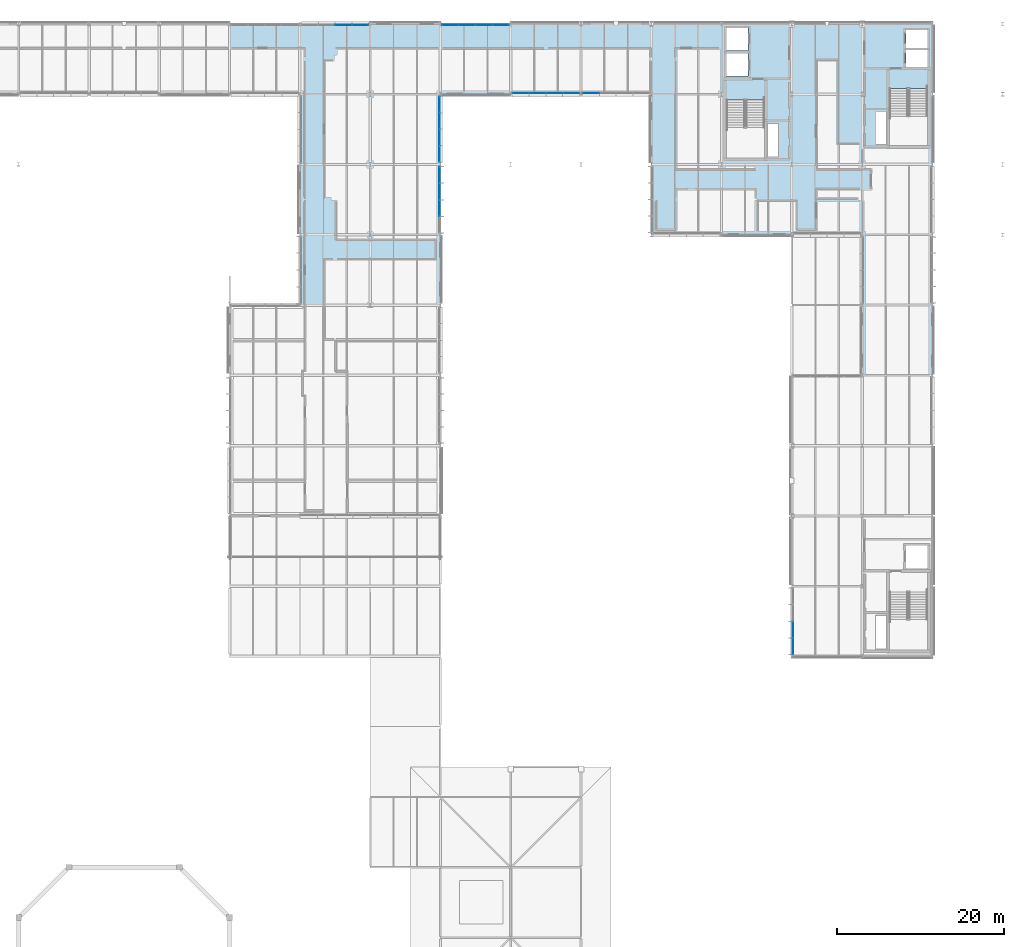
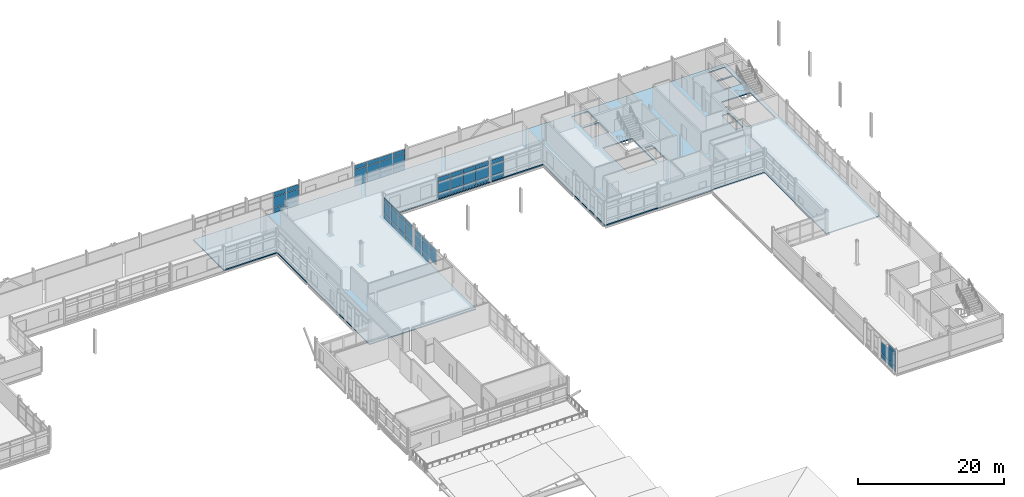
# One storey, part 78 of 103: 58 plates, 1 slab, 7 elements without a shape of their own.
"""IFC4 building model written with IfcOpenShell, lengths in metres."""

from ifc_helpers import new_model, si_unit, direction, frame, origin, origin_2d, place, context, subcontext, project, spatial, polyline, rectangle, outline, extrude, material, layer, layer_set, type_object, element, aggregate, save


model = new_model("IFC4")

# Units and contexts
model_context = context("Model", 3, precision=1e-05, world=origin(), true_north=direction((0.0, 1.0)))
body_context = subcontext(model_context, "Body", "Model", "MODEL_VIEW")
ifc_project = project(units=[si_unit("LENGTHUNIT", "METRE"), si_unit("AREAUNIT", "SQUARE_METRE"), si_unit("VOLUMEUNIT", "CUBIC_METRE"), si_unit("PLANEANGLEUNIT", "RADIAN"), si_unit("MASSUNIT", "GRAM", prefix="KILO")], contexts=[model_context])

# Site, building, storey
site_placement = place(None, origin())
site = spatial("IfcSite", under=ifc_project, at=site_placement, CompositionType="ELEMENT")
building_placement = place(site_placement, origin())
building = spatial("IfcBuilding", under=site, at=building_placement, Name="Mersafa Astral City Hall", CompositionType="ELEMENT")
storey_placement = place(building_placement, frame((0.0, 0.0, 18.0)))
storey = spatial("IfcBuildingStorey", under=building, at=storey_placement, Name="L04", CompositionType="ELEMENT", Elevation=18.0)

# Curtain wall, plates
ifc_material_1 = material(Name="Anodised bronze aluminium framing", Category="aluminium")
curtain_wall_type_1 = type_object("IfcCurtainWallType", Name="ENV-CW-1", PredefinedType="USERDEFINED", material=ifc_material_1)
curtain_wall_1_placement = place(storey_placement, origin())
curtain_wall_1 = element("IfcCurtainWall", 1, at=curtain_wall_1_placement, inside=storey, type_object=curtain_wall_type_1, Name="L04 Unitised solar curtain wall 216", ObjectType="UNITISED CURTAIN WALL", PredefinedType="USERDEFINED")
ifc_material_2 = material(Name="Solar control low-e double glazing", Category="glass")
ifc_layer_1 = layer(ifc_material_2, 0.028076171875, Name="Solar control low-e double glazing")
ifc_layer_set_1 = layer_set([ifc_layer_1], Name="Solar control low-e double glazing — ENV-CW-PNL-GLZ-1")
plate_type_1 = type_object("IfcPlateType", Name="ENV-CW-PNL-GLZ-1", PredefinedType="CURTAIN_PANEL", material=ifc_layer_set_1)
plate_1_placement = place(storey_placement, frame((117.47998046875, 103.96240234375, 0.8798828125), z_axis=(0.0, 0.0, 1.0), x_axis=(0.0, 1.0, 0.0)))
plate_1 = element("IfcPlate", 2, at=plate_1_placement, type_object=plate_type_1, Name="CW-1 panel 2.2", PredefinedType="CURTAIN_PANEL", context=body_context, shape_type="SweptSolid", body=[
    extrude(rectangle(XDim=1.940185546875, YDim=0.028076171875, at=origin_2d()), origin(), (0.0, 0.0, 1.0), 1.840087890625),
])
plate_2_placement = place(storey_placement, frame((117.47998046875, 103.96240234375, 2.780029296875), z_axis=(0.0, 0.0, 1.0), x_axis=(0.0, 1.0, 0.0)))
plate_2 = element("IfcPlate", 3, at=plate_2_placement, type_object=plate_type_1, Name="CW-1 panel 2.3", PredefinedType="CURTAIN_PANEL", context=body_context, shape_type="SweptSolid", body=[
    extrude(rectangle(XDim=1.940185546875, YDim=0.028076171875, at=origin_2d()), origin(), (0.0, 0.0, 1.0), 0.64697265625),
])
plate_3_placement = place(storey_placement, frame((117.47998046875, 105.962646484375, 0.05810546875), z_axis=(0.0, 0.0, 1.0), x_axis=(0.0, 1.0, 0.0)))
plate_3 = element("IfcPlate", 4, at=plate_3_placement, type_object=plate_type_1, Name="CW-1 panel 3.1", PredefinedType="CURTAIN_PANEL", context=body_context, shape_type="SweptSolid", body=[
    extrude(rectangle(XDim=1.940185546875, YDim=0.028076171875, at=origin_2d()), origin(), (0.0, 0.0, 1.0), 0.761962890625),
])
plate_4_placement = place(storey_placement, frame((117.47998046875, 105.962646484375, 0.8798828125), z_axis=(0.0, 0.0, 1.0), x_axis=(0.0, 1.0, 0.0)))
plate_4 = element("IfcPlate", 5, at=plate_4_placement, type_object=plate_type_1, Name="CW-1 panel 3.2", PredefinedType="CURTAIN_PANEL", context=body_context, shape_type="SweptSolid", body=[
    extrude(rectangle(XDim=1.940185546875, YDim=0.028076171875, at=origin_2d()), origin(), (0.0, 0.0, 1.0), 1.840087890625),
])
plate_5_placement = place(storey_placement, frame((117.47998046875, 105.962646484375, 2.780029296875), z_axis=(0.0, 0.0, 1.0), x_axis=(0.0, 1.0, 0.0)))
plate_5 = element("IfcPlate", 6, at=plate_5_placement, type_object=plate_type_1, Name="CW-1 panel 3.3", PredefinedType="CURTAIN_PANEL", context=body_context, shape_type="SweptSolid", body=[
    extrude(rectangle(XDim=1.940185546875, YDim=0.028076171875, at=origin_2d()), origin(), (0.0, 0.0, 1.0), 0.64697265625),
])
plate_6_placement = place(storey_placement, frame((117.47998046875, 107.94775390625, 0.05810546875), z_axis=(0.0, 0.0, 1.0), x_axis=(0.0, 1.0, 0.0)))
plate_6 = element("IfcPlate", 7, at=plate_6_placement, type_object=plate_type_1, Name="CW-1 panel 4.1", PredefinedType="CURTAIN_PANEL", context=body_context, shape_type="SweptSolid", body=[
    extrude(rectangle(XDim=1.91015625, YDim=0.028076171875, at=origin_2d()), origin(), (0.0, 0.0, 1.0), 0.761962890625),
])
plate_7_placement = place(storey_placement, frame((117.47998046875, 107.94775390625, 0.8798828125), z_axis=(0.0, 0.0, 1.0), x_axis=(0.0, 1.0, 0.0)))
plate_7 = element("IfcPlate", 8, at=plate_7_placement, type_object=plate_type_1, Name="CW-1 panel 4.2", PredefinedType="CURTAIN_PANEL", context=body_context, shape_type="SweptSolid", body=[
    extrude(rectangle(XDim=1.91015625, YDim=0.028076171875, at=origin_2d()), origin(), (0.0, 0.0, 1.0), 1.840087890625),
])
plate_8_placement = place(storey_placement, frame((117.47998046875, 107.94775390625, 2.780029296875), z_axis=(0.0, 0.0, 1.0), x_axis=(0.0, 1.0, 0.0)))
plate_8 = element("IfcPlate", 9, at=plate_8_placement, type_object=plate_type_1, Name="CW-1 panel 4.3", PredefinedType="CURTAIN_PANEL", context=body_context, shape_type="SweptSolid", body=[
    extrude(rectangle(XDim=1.91015625, YDim=0.028076171875, at=origin_2d()), origin(), (0.0, 0.0, 1.0), 0.64697265625),
])
aggregate(curtain_wall_1, [plate_1, plate_2, plate_3, plate_4, plate_5, plate_6, plate_7, plate_8])

curtain_wall_type_2 = type_object("IfcCurtainWallType", Name="ENV-CW-2", PredefinedType="USERDEFINED", material=ifc_material_1)
curtain_wall_2_placement = place(storey_placement, origin())
curtain_wall_2 = element("IfcCurtainWall", 10, at=curtain_wall_2_placement, inside=storey, type_object=curtain_wall_type_2, Name="L04 Unitised solar curtain wall 217", ObjectType="UNITISED CURTAIN WALL", PredefinedType="USERDEFINED")
ifc_layer_2 = layer(ifc_material_2, 0.031982421875, Name="Solar control low-e double glazing")
ifc_layer_set_2 = layer_set([ifc_layer_2], Name="Solar control low-e double glazing — ENV-CW-PNL-GLZ-2")
plate_type_2 = type_object("IfcPlateType", Name="ENV-CW-PNL-GLZ-2", PredefinedType="CURTAIN_PANEL", material=ifc_layer_set_2)
plate_9_placement = place(storey_placement, frame((117.47998046875, 110.44287109375, 0.05810546875), z_axis=(0.0, 0.0, 1.0), x_axis=(0.0, 1.0, 0.0)))
plate_9 = element("IfcPlate", 11, at=plate_9_placement, type_object=plate_type_2, Name="CW-2 panel 1.1", PredefinedType="CURTAIN_PANEL", context=body_context, shape_type="SweptSolid", body=[
    extrude(rectangle(XDim=1.8916015625, YDim=0.031982421875, at=origin_2d()), origin(), (0.0, 0.0, 1.0), 0.761962890625),
])
plate_10_placement = place(storey_placement, frame((117.47998046875, 110.44287109375, 0.8798828125), z_axis=(0.0, 0.0, 1.0), x_axis=(0.0, 1.0, 0.0)))
plate_10 = element("IfcPlate", 12, at=plate_10_placement, type_object=plate_type_2, Name="CW-2 panel 1.2", PredefinedType="CURTAIN_PANEL", context=body_context, shape_type="SweptSolid", body=[
    extrude(rectangle(XDim=1.8916015625, YDim=0.031982421875, at=origin_2d()), origin(), (0.0, 0.0, 1.0), 1.840087890625),
])
plate_11_placement = place(storey_placement, frame((117.47998046875, 110.44287109375, 2.77978515625), z_axis=(0.0, 0.0, 1.0), x_axis=(0.0, 1.0, 0.0)))
plate_11 = element("IfcPlate", 13, at=plate_11_placement, type_object=plate_type_2, Name="CW-2 panel 1.3", PredefinedType="CURTAIN_PANEL", context=body_context, shape_type="SweptSolid", body=[
    extrude(rectangle(XDim=1.8916015625, YDim=0.031982421875, at=origin_2d()), origin(), (0.0, 0.0, 1.0), 0.737060546875),
])
plate_12_placement = place(storey_placement, frame((117.47998046875, 112.4091796875, 0.05810546875), z_axis=(0.0, 0.0, 1.0), x_axis=(0.0, 1.0, 0.0)))
plate_12 = element("IfcPlate", 14, at=plate_12_placement, type_object=plate_type_2, Name="CW-2 panel 2.1", PredefinedType="CURTAIN_PANEL", context=body_context, shape_type="SweptSolid", body=[
    extrude(rectangle(XDim=1.92138671875, YDim=0.031982421875, at=origin_2d()), origin(), (0.0, 0.0, 1.0), 0.761962890625),
])
plate_13_placement = place(storey_placement, frame((117.47998046875, 112.4091796875, 0.8798828125), z_axis=(0.0, 0.0, 1.0), x_axis=(0.0, 1.0, 0.0)))
plate_13 = element("IfcPlate", 15, at=plate_13_placement, type_object=plate_type_2, Name="CW-2 panel 2.2", PredefinedType="CURTAIN_PANEL", context=body_context, shape_type="SweptSolid", body=[
    extrude(rectangle(XDim=1.92138671875, YDim=0.031982421875, at=origin_2d()), origin(), (0.0, 0.0, 1.0), 1.840087890625),
])
plate_14_placement = place(storey_placement, frame((117.47998046875, 112.4091796875, 2.77978515625), z_axis=(0.0, 0.0, 1.0), x_axis=(0.0, 1.0, 0.0)))
plate_14 = element("IfcPlate", 16, at=plate_14_placement, type_object=plate_type_2, Name="CW-2 panel 2.3", PredefinedType="CURTAIN_PANEL", context=body_context, shape_type="SweptSolid", body=[
    extrude(rectangle(XDim=1.92138671875, YDim=0.031982421875, at=origin_2d()), origin(), (0.0, 0.0, 1.0), 0.737060546875),
])
plate_15_placement = place(storey_placement, frame((117.47998046875, 114.390869140625, 0.05810546875), z_axis=(0.0, 0.0, 1.0), x_axis=(0.0, 1.0, 0.0)))
plate_15 = element("IfcPlate", 17, at=plate_15_placement, type_object=plate_type_2, Name="CW-2 panel 3.1", PredefinedType="CURTAIN_PANEL", context=body_context, shape_type="SweptSolid", body=[
    extrude(rectangle(XDim=1.92138671875, YDim=0.031982421875, at=origin_2d()), origin(), (0.0, 0.0, 1.0), 0.761962890625),
])
plate_16_placement = place(storey_placement, frame((117.47998046875, 114.390869140625, 0.8798828125), z_axis=(0.0, 0.0, 1.0), x_axis=(0.0, 1.0, 0.0)))
plate_16 = element("IfcPlate", 18, at=plate_16_placement, type_object=plate_type_2, Name="CW-2 panel 3.2", PredefinedType="CURTAIN_PANEL", context=body_context, shape_type="SweptSolid", body=[
    extrude(rectangle(XDim=1.92138671875, YDim=0.031982421875, at=origin_2d()), origin(), (0.0, 0.0, 1.0), 1.840087890625),
])
plate_17_placement = place(storey_placement, frame((117.47998046875, 114.390869140625, 2.77978515625), z_axis=(0.0, 0.0, 1.0), x_axis=(0.0, 1.0, 0.0)))
plate_17 = element("IfcPlate", 19, at=plate_17_placement, type_object=plate_type_2, Name="CW-2 panel 3.3", PredefinedType="CURTAIN_PANEL", context=body_context, shape_type="SweptSolid", body=[
    extrude(rectangle(XDim=1.92138671875, YDim=0.031982421875, at=origin_2d()), origin(), (0.0, 0.0, 1.0), 0.737060546875),
])
plate_18_placement = place(storey_placement, frame((117.47998046875, 116.357177734375, 0.05810546875), z_axis=(0.0, 0.0, 1.0), x_axis=(0.0, 1.0, 0.0)))
plate_18 = element("IfcPlate", 20, at=plate_18_placement, type_object=plate_type_2, Name="CW-2 panel 4.1", PredefinedType="CURTAIN_PANEL", context=body_context, shape_type="SweptSolid", body=[
    extrude(rectangle(XDim=1.8916015625, YDim=0.031982421875, at=origin_2d()), origin(), (0.0, 0.0, 1.0), 0.761962890625),
])
plate_19_placement = place(storey_placement, frame((117.47998046875, 116.357177734375, 0.8798828125), z_axis=(0.0, 0.0, 1.0), x_axis=(0.0, 1.0, 0.0)))
plate_19 = element("IfcPlate", 21, at=plate_19_placement, type_object=plate_type_2, Name="CW-2 panel 4.2", PredefinedType="CURTAIN_PANEL", context=body_context, shape_type="SweptSolid", body=[
    extrude(rectangle(XDim=1.8916015625, YDim=0.031982421875, at=origin_2d()), origin(), (0.0, 0.0, 1.0), 1.840087890625),
])
plate_20_placement = place(storey_placement, frame((117.47998046875, 116.357177734375, 2.77978515625), z_axis=(0.0, 0.0, 1.0), x_axis=(0.0, 1.0, 0.0)))
plate_20 = element("IfcPlate", 22, at=plate_20_placement, type_object=plate_type_2, Name="CW-2 panel 4.3", PredefinedType="CURTAIN_PANEL", context=body_context, shape_type="SweptSolid", body=[
    extrude(rectangle(XDim=1.8916015625, YDim=0.031982421875, at=origin_2d()), origin(), (0.0, 0.0, 1.0), 0.737060546875),
])
aggregate(curtain_wall_2, [plate_9, plate_10, plate_11, plate_12, plate_13, plate_14, plate_15, plate_16, plate_17, plate_18, plate_19, plate_20])

curtain_wall_type_3 = type_object("IfcCurtainWallType", Name="ENV-CW-5", PredefinedType="USERDEFINED", material=ifc_material_1)
curtain_wall_3_placement = place(storey_placement, origin())
curtain_wall_3 = element("IfcCurtainWall", 23, at=curtain_wall_3_placement, inside=storey, type_object=curtain_wall_type_3, Name="L04 Unitised solar curtain wall 190", ObjectType="UNITISED CURTAIN WALL", PredefinedType="USERDEFINED")
ifc_layer_3 = layer(ifc_material_2, 0.035888671875, Name="Solar control low-e double glazing")
ifc_layer_set_3 = layer_set([ifc_layer_3], Name="Solar control low-e double glazing — ENV-CW-PNL-GLZ-3")
plate_type_3 = type_object("IfcPlateType", Name="ENV-CW-PNL-GLZ-3", PredefinedType="CURTAIN_PANEL", material=ifc_layer_set_3)
plate_21_placement = place(storey_placement, frame((159.719970703125, 53.591796875, 0.05810546875), z_axis=(0.0, 0.0, 1.0), x_axis=(0.0, -1.0, 0.0)))
plate_21 = element("IfcPlate", 24, at=plate_21_placement, type_object=plate_type_3, Name="CW-5 panel 3.1", PredefinedType="CURTAIN_PANEL", context=body_context, shape_type="SweptSolid", body=[
    extrude(rectangle(XDim=1.946533203125, YDim=0.035888671875, at=origin_2d()), origin(), (0.0, 0.0, 1.0), 0.761962890625),
])
plate_22_placement = place(storey_placement, frame((159.719970703125, 53.591796875, 0.8798828125), z_axis=(0.0, 0.0, 1.0), x_axis=(0.0, -1.0, 0.0)))
plate_22 = element("IfcPlate", 25, at=plate_22_placement, type_object=plate_type_3, Name="CW-5 panel 3.2", PredefinedType="CURTAIN_PANEL", context=body_context, shape_type="SweptSolid", body=[
    extrude(rectangle(XDim=1.946533203125, YDim=0.035888671875, at=origin_2d()), origin(), (0.0, 0.0, 1.0), 1.840087890625),
])
plate_23_placement = place(storey_placement, frame((159.719970703125, 51.600341796875, 0.05810546875), z_axis=(0.0, 0.0, 1.0), x_axis=(0.0, -1.0, 0.0)))
plate_23 = element("IfcPlate", 26, at=plate_23_placement, type_object=plate_type_3, Name="CW-5 panel 4.1", PredefinedType="CURTAIN_PANEL", context=body_context, shape_type="SweptSolid", body=[
    extrude(rectangle(XDim=1.91650390625, YDim=0.035888671875, at=origin_2d()), origin(), (0.0, 0.0, 1.0), 0.761962890625),
])
plate_24_placement = place(storey_placement, frame((159.719970703125, 51.600341796875, 0.8798828125), z_axis=(0.0, 0.0, 1.0), x_axis=(0.0, -1.0, 0.0)))
plate_24 = element("IfcPlate", 27, at=plate_24_placement, type_object=plate_type_3, Name="CW-5 panel 4.2", PredefinedType="CURTAIN_PANEL", context=body_context, shape_type="SweptSolid", body=[
    extrude(rectangle(XDim=1.91650390625, YDim=0.035888671875, at=origin_2d()), origin(), (0.0, 0.0, 1.0), 1.840087890625),
])
plate_25_placement = place(storey_placement, frame((159.719970703125, 51.600341796875, 2.77978515625), z_axis=(0.0, 0.0, 1.0), x_axis=(0.0, -1.0, 0.0)))
plate_25 = element("IfcPlate", 28, at=plate_25_placement, type_object=plate_type_3, Name="CW-5 panel 4.3", PredefinedType="CURTAIN_PANEL", context=body_context, shape_type="SweptSolid", body=[
    extrude(rectangle(XDim=1.91650390625, YDim=0.035888671875, at=origin_2d()), origin(), (0.0, 0.0, 1.0), 0.757080078125),
])
aggregate(curtain_wall_3, [plate_21, plate_22, plate_23, plate_24, plate_25])

curtain_wall_type_4 = type_object("IfcCurtainWallType", Name="ENV-CW-3", PredefinedType="USERDEFINED", material=ifc_material_1)
curtain_wall_4_placement = place(storey_placement, origin())
curtain_wall_4 = element("IfcCurtainWall", 29, at=curtain_wall_4_placement, inside=storey, type_object=curtain_wall_type_4, Name="L04 Unitised solar curtain wall 194", ObjectType="UNITISED CURTAIN WALL", PredefinedType="USERDEFINED")
plate_26_placement = place(storey_placement, frame((124.8134765625, 125.8798828125, 0.05810546875), z_axis=(0.0, 0.0, 1.0), x_axis=(-1.0, 0.0, 0.0)))
plate_26 = element("IfcPlate", 30, at=plate_26_placement, type_object=plate_type_3, Name="CW-3 panel 1.1", PredefinedType="CURTAIN_PANEL", context=body_context, shape_type="SweptSolid", body=[
    extrude(rectangle(XDim=1.928955078125, YDim=0.035888671875, at=origin_2d()), origin(), (0.0, 0.0, 1.0), 0.761962890625),
])
plate_27_placement = place(storey_placement, frame((124.8134765625, 125.8798828125, 0.8798828125), z_axis=(0.0, 0.0, 1.0), x_axis=(-1.0, 0.0, 0.0)))
plate_27 = element("IfcPlate", 31, at=plate_27_placement, type_object=plate_type_3, Name="CW-3 panel 1.2", PredefinedType="CURTAIN_PANEL", context=body_context, shape_type="SweptSolid", body=[
    extrude(rectangle(XDim=1.928955078125, YDim=0.035888671875, at=origin_2d()), origin(), (0.0, 0.0, 1.0), 1.840087890625),
])
plate_28_placement = place(storey_placement, frame((124.8134765625, 125.8798828125, 2.77978515625), z_axis=(0.0, 0.0, 1.0), x_axis=(-1.0, 0.0, 0.0)))
plate_28 = element("IfcPlate", 32, at=plate_28_placement, type_object=plate_type_3, Name="CW-3 panel 1.3", PredefinedType="CURTAIN_PANEL", context=body_context, shape_type="SweptSolid", body=[
    extrude(rectangle(XDim=1.928955078125, YDim=0.035888671875, at=origin_2d()), origin(), (0.0, 0.0, 1.0), 0.697021484375),
])
plate_29_placement = place(storey_placement, frame((122.8095703125, 125.8798828125, 0.05810546875), z_axis=(0.0, 0.0, 1.0), x_axis=(-1.0, 0.0, 0.0)))
plate_29 = element("IfcPlate", 33, at=plate_29_placement, type_object=plate_type_3, Name="CW-3 panel 2.1", PredefinedType="CURTAIN_PANEL", context=body_context, shape_type="SweptSolid", body=[
    extrude(rectangle(XDim=1.958984375, YDim=0.035888671875, at=origin_2d()), origin(), (0.0, 0.0, 1.0), 0.761962890625),
])
plate_30_placement = place(storey_placement, frame((122.8095703125, 125.8798828125, 0.8798828125), z_axis=(0.0, 0.0, 1.0), x_axis=(-1.0, 0.0, 0.0)))
plate_30 = element("IfcPlate", 34, at=plate_30_placement, type_object=plate_type_3, Name="CW-3 panel 2.2", PredefinedType="CURTAIN_PANEL", context=body_context, shape_type="SweptSolid", body=[
    extrude(rectangle(XDim=1.958984375, YDim=0.035888671875, at=origin_2d()), origin(), (0.0, 0.0, 1.0), 1.840087890625),
])
plate_31_placement = place(storey_placement, frame((122.8095703125, 125.8798828125, 2.77978515625), z_axis=(0.0, 0.0, 1.0), x_axis=(-1.0, 0.0, 0.0)))
plate_31 = element("IfcPlate", 35, at=plate_31_placement, type_object=plate_type_3, Name="CW-3 panel 2.3", PredefinedType="CURTAIN_PANEL", context=body_context, shape_type="SweptSolid", body=[
    extrude(rectangle(XDim=1.958984375, YDim=0.035888671875, at=origin_2d()), origin(), (0.0, 0.0, 1.0), 0.697021484375),
])
plate_32_placement = place(storey_placement, frame((120.79052734375, 125.8798828125, 0.05810546875), z_axis=(0.0, 0.0, 1.0), x_axis=(-1.0, 0.0, 0.0)))
plate_32 = element("IfcPlate", 36, at=plate_32_placement, type_object=plate_type_3, Name="CW-3 panel 3.1", PredefinedType="CURTAIN_PANEL", context=body_context, shape_type="SweptSolid", body=[
    extrude(rectangle(XDim=1.958984375, YDim=0.035888671875, at=origin_2d()), origin(), (0.0, 0.0, 1.0), 0.761962890625),
])
plate_33_placement = place(storey_placement, frame((120.79052734375, 125.8798828125, 0.8798828125), z_axis=(0.0, 0.0, 1.0), x_axis=(-1.0, 0.0, 0.0)))
plate_33 = element("IfcPlate", 37, at=plate_33_placement, type_object=plate_type_3, Name="CW-3 panel 3.2", PredefinedType="CURTAIN_PANEL", context=body_context, shape_type="SweptSolid", body=[
    extrude(rectangle(XDim=1.958984375, YDim=0.035888671875, at=origin_2d()), origin(), (0.0, 0.0, 1.0), 1.840087890625),
])
plate_34_placement = place(storey_placement, frame((120.79052734375, 125.8798828125, 2.77978515625), z_axis=(0.0, 0.0, 1.0), x_axis=(-1.0, 0.0, 0.0)))
plate_34 = element("IfcPlate", 38, at=plate_34_placement, type_object=plate_type_3, Name="CW-3 panel 3.3", PredefinedType="CURTAIN_PANEL", context=body_context, shape_type="SweptSolid", body=[
    extrude(rectangle(XDim=1.958984375, YDim=0.035888671875, at=origin_2d()), origin(), (0.0, 0.0, 1.0), 0.697021484375),
])
plate_35_placement = place(storey_placement, frame((118.78662109375, 125.8798828125, 0.05810546875), z_axis=(0.0, 0.0, 1.0), x_axis=(-1.0, 0.0, 0.0)))
plate_35 = element("IfcPlate", 39, at=plate_35_placement, type_object=plate_type_3, Name="CW-3 panel 4.1", PredefinedType="CURTAIN_PANEL", context=body_context, shape_type="SweptSolid", body=[
    extrude(rectangle(XDim=1.928955078125, YDim=0.035888671875, at=origin_2d()), origin(), (0.0, 0.0, 1.0), 0.761962890625),
])
plate_36_placement = place(storey_placement, frame((118.78662109375, 125.8798828125, 0.8798828125), z_axis=(0.0, 0.0, 1.0), x_axis=(-1.0, 0.0, 0.0)))
plate_36 = element("IfcPlate", 40, at=plate_36_placement, type_object=plate_type_3, Name="CW-3 panel 4.2", PredefinedType="CURTAIN_PANEL", context=body_context, shape_type="SweptSolid", body=[
    extrude(rectangle(XDim=1.928955078125, YDim=0.035888671875, at=origin_2d()), origin(), (0.0, 0.0, 1.0), 1.840087890625),
])
plate_37_placement = place(storey_placement, frame((118.78662109375, 125.8798828125, 2.77978515625), z_axis=(0.0, 0.0, 1.0), x_axis=(-1.0, 0.0, 0.0)))
plate_37 = element("IfcPlate", 41, at=plate_37_placement, type_object=plate_type_3, Name="CW-3 panel 4.3", PredefinedType="CURTAIN_PANEL", context=body_context, shape_type="SweptSolid", body=[
    extrude(rectangle(XDim=1.928955078125, YDim=0.035888671875, at=origin_2d()), origin(), (0.0, 0.0, 1.0), 0.697021484375),
])
aggregate(curtain_wall_4, [plate_26, plate_27, plate_28, plate_29, plate_30, plate_31, plate_32, plate_33, plate_34, plate_35, plate_36, plate_37])

curtain_wall_5_placement = place(storey_placement, origin())
curtain_wall_5 = element("IfcCurtainWall", 42, at=curtain_wall_5_placement, inside=storey, type_object=curtain_wall_type_4, Name="L04 Unitised solar curtain wall 218", ObjectType="UNITISED CURTAIN WALL", PredefinedType="USERDEFINED")
plate_38_placement = place(storey_placement, frame((127.1865234375, 117.719970703125, 0.05810546875), z_axis=(0.0, 0.0, 1.0), x_axis=(1.0, 0.0, 0.0)))
plate_38 = element("IfcPlate", 43, at=plate_38_placement, type_object=plate_type_3, Name="CW-3 panel 1.1", PredefinedType="CURTAIN_PANEL", context=body_context, shape_type="SweptSolid", body=[
    extrude(rectangle(XDim=1.928955078125, YDim=0.035888671875, at=origin_2d()), origin(), (0.0, 0.0, 1.0), 0.761962890625),
])
plate_39_placement = place(storey_placement, frame((127.1865234375, 117.719970703125, 0.8798828125), z_axis=(0.0, 0.0, 1.0), x_axis=(1.0, 0.0, 0.0)))
plate_39 = element("IfcPlate", 44, at=plate_39_placement, type_object=plate_type_3, Name="CW-3 panel 1.2", PredefinedType="CURTAIN_PANEL", context=body_context, shape_type="SweptSolid", body=[
    extrude(rectangle(XDim=1.928955078125, YDim=0.035888671875, at=origin_2d()), origin(), (0.0, 0.0, 1.0), 1.840087890625),
])
plate_40_placement = place(storey_placement, frame((127.1865234375, 117.719970703125, 2.77978515625), z_axis=(0.0, 0.0, 1.0), x_axis=(1.0, 0.0, 0.0)))
plate_40 = element("IfcPlate", 45, at=plate_40_placement, type_object=plate_type_3, Name="CW-3 panel 1.3", PredefinedType="CURTAIN_PANEL", context=body_context, shape_type="SweptSolid", body=[
    extrude(rectangle(XDim=1.928955078125, YDim=0.035888671875, at=origin_2d()), origin(), (0.0, 0.0, 1.0), 0.697021484375),
])
plate_41_placement = place(storey_placement, frame((129.1904296875, 117.719970703125, 0.05810546875), z_axis=(0.0, 0.0, 1.0), x_axis=(1.0, 0.0, 0.0)))
plate_41 = element("IfcPlate", 46, at=plate_41_placement, type_object=plate_type_3, Name="CW-3 panel 2.1", PredefinedType="CURTAIN_PANEL", context=body_context, shape_type="SweptSolid", body=[
    extrude(rectangle(XDim=1.958984375, YDim=0.035888671875, at=origin_2d()), origin(), (0.0, 0.0, 1.0), 0.761962890625),
])
plate_42_placement = place(storey_placement, frame((129.1904296875, 117.719970703125, 0.8798828125), z_axis=(0.0, 0.0, 1.0), x_axis=(1.0, 0.0, 0.0)))
plate_42 = element("IfcPlate", 47, at=plate_42_placement, type_object=plate_type_3, Name="CW-3 panel 2.2", PredefinedType="CURTAIN_PANEL", context=body_context, shape_type="SweptSolid", body=[
    extrude(rectangle(XDim=1.958984375, YDim=0.035888671875, at=origin_2d()), origin(), (0.0, 0.0, 1.0), 1.840087890625),
])
plate_43_placement = place(storey_placement, frame((129.1904296875, 117.719970703125, 2.77978515625), z_axis=(0.0, 0.0, 1.0), x_axis=(1.0, 0.0, 0.0)))
plate_43 = element("IfcPlate", 48, at=plate_43_placement, type_object=plate_type_3, Name="CW-3 panel 2.3", PredefinedType="CURTAIN_PANEL", context=body_context, shape_type="SweptSolid", body=[
    extrude(rectangle(XDim=1.958984375, YDim=0.035888671875, at=origin_2d()), origin(), (0.0, 0.0, 1.0), 0.697021484375),
])
plate_44_placement = place(storey_placement, frame((131.20947265625, 117.719970703125, 0.05810546875), z_axis=(0.0, 0.0, 1.0), x_axis=(1.0, 0.0, 0.0)))
plate_44 = element("IfcPlate", 49, at=plate_44_placement, type_object=plate_type_3, Name="CW-3 panel 3.1", PredefinedType="CURTAIN_PANEL", context=body_context, shape_type="SweptSolid", body=[
    extrude(rectangle(XDim=1.958984375, YDim=0.035888671875, at=origin_2d()), origin(), (0.0, 0.0, 1.0), 0.761962890625),
])
plate_45_placement = place(storey_placement, frame((131.20947265625, 117.719970703125, 0.8798828125), z_axis=(0.0, 0.0, 1.0), x_axis=(1.0, 0.0, 0.0)))
plate_45 = element("IfcPlate", 50, at=plate_45_placement, type_object=plate_type_3, Name="CW-3 panel 3.2", PredefinedType="CURTAIN_PANEL", context=body_context, shape_type="SweptSolid", body=[
    extrude(rectangle(XDim=1.958984375, YDim=0.035888671875, at=origin_2d()), origin(), (0.0, 0.0, 1.0), 1.840087890625),
])
plate_46_placement = place(storey_placement, frame((131.20947265625, 117.719970703125, 2.77978515625), z_axis=(0.0, 0.0, 1.0), x_axis=(1.0, 0.0, 0.0)))
plate_46 = element("IfcPlate", 51, at=plate_46_placement, type_object=plate_type_3, Name="CW-3 panel 3.3", PredefinedType="CURTAIN_PANEL", context=body_context, shape_type="SweptSolid", body=[
    extrude(rectangle(XDim=1.958984375, YDim=0.035888671875, at=origin_2d()), origin(), (0.0, 0.0, 1.0), 0.697021484375),
])
plate_47_placement = place(storey_placement, frame((133.21337890625, 117.719970703125, 0.05810546875), z_axis=(0.0, 0.0, 1.0), x_axis=(1.0, 0.0, 0.0)))
plate_47 = element("IfcPlate", 52, at=plate_47_placement, type_object=plate_type_3, Name="CW-3 panel 4.1", PredefinedType="CURTAIN_PANEL", context=body_context, shape_type="SweptSolid", body=[
    extrude(rectangle(XDim=1.928955078125, YDim=0.035888671875, at=origin_2d()), origin(), (0.0, 0.0, 1.0), 0.761962890625),
])
plate_48_placement = place(storey_placement, frame((133.21337890625, 117.719970703125, 0.8798828125), z_axis=(0.0, 0.0, 1.0), x_axis=(1.0, 0.0, 0.0)))
plate_48 = element("IfcPlate", 53, at=plate_48_placement, type_object=plate_type_3, Name="CW-3 panel 4.2", PredefinedType="CURTAIN_PANEL", context=body_context, shape_type="SweptSolid", body=[
    extrude(rectangle(XDim=1.928955078125, YDim=0.035888671875, at=origin_2d()), origin(), (0.0, 0.0, 1.0), 1.840087890625),
])
plate_49_placement = place(storey_placement, frame((133.21337890625, 117.719970703125, 2.77978515625), z_axis=(0.0, 0.0, 1.0), x_axis=(1.0, 0.0, 0.0)))
plate_49 = element("IfcPlate", 54, at=plate_49_placement, type_object=plate_type_3, Name="CW-3 panel 4.3", PredefinedType="CURTAIN_PANEL", context=body_context, shape_type="SweptSolid", body=[
    extrude(rectangle(XDim=1.928955078125, YDim=0.035888671875, at=origin_2d()), origin(), (0.0, 0.0, 1.0), 0.697021484375),
])
aggregate(curtain_wall_5, [plate_38, plate_39, plate_40, plate_41, plate_42, plate_43, plate_44, plate_45, plate_46, plate_47, plate_48, plate_49])

curtain_wall_type_5 = type_object("IfcCurtainWallType", Name="ENV-CW-4", PredefinedType="USERDEFINED", material=ifc_material_1)
curtain_wall_6_placement = place(storey_placement, origin())
curtain_wall_6 = element("IfcCurtainWall", 55, at=curtain_wall_6_placement, inside=storey, type_object=curtain_wall_type_5, Name="L04 Unitised solar curtain wall 195", ObjectType="UNITISED CURTAIN WALL", PredefinedType="USERDEFINED")
ifc_layer_4 = layer(ifc_material_2, 0.0400390625, Name="Solar control low-e double glazing")
ifc_layer_set_4 = layer_set([ifc_layer_4], Name="Solar control low-e double glazing — ENV-CW-PNL-GLZ-4")
plate_type_4 = type_object("IfcPlateType", Name="ENV-CW-PNL-GLZ-4", PredefinedType="CURTAIN_PANEL", material=ifc_layer_set_4)
plate_50_placement = place(storey_placement, frame((108.013427734375, 125.8798828125, 0.05810546875), z_axis=(0.0, 0.0, 1.0), x_axis=(-1.0, 0.0, 0.0)))
plate_50 = element("IfcPlate", 56, at=plate_50_placement, type_object=plate_type_4, Name="CW-4 panel 1.1", PredefinedType="CURTAIN_PANEL", context=body_context, shape_type="SweptSolid", body=[
    extrude(rectangle(XDim=1.928955078125, YDim=0.0400390625, at=origin_2d()), origin(), (0.0, 0.0, 1.0), 0.761962890625),
])
plate_51_placement = place(storey_placement, frame((108.013427734375, 125.8798828125, 0.8798828125), z_axis=(0.0, 0.0, 1.0), x_axis=(-1.0, 0.0, 0.0)))
plate_51 = element("IfcPlate", 57, at=plate_51_placement, type_object=plate_type_4, Name="CW-4 panel 1.2", PredefinedType="CURTAIN_PANEL", context=body_context, shape_type="SweptSolid", body=[
    extrude(rectangle(XDim=1.928955078125, YDim=0.0400390625, at=origin_2d()), origin(), (0.0, 0.0, 1.0), 1.840087890625),
])
plate_52_placement = place(storey_placement, frame((108.013427734375, 125.8798828125, 2.77978515625), z_axis=(0.0, 0.0, 1.0), x_axis=(-1.0, 0.0, 0.0)))
plate_52 = element("IfcPlate", 58, at=plate_52_placement, type_object=plate_type_4, Name="CW-4 panel 1.3", PredefinedType="CURTAIN_PANEL", context=body_context, shape_type="SweptSolid", body=[
    extrude(rectangle(XDim=1.928955078125, YDim=0.0400390625, at=origin_2d()), origin(), (0.0, 0.0, 1.0), 0.697021484375),
])
plate_53_placement = place(storey_placement, frame((106.009521484375, 125.8798828125, 0.05810546875), z_axis=(0.0, 0.0, 1.0), x_axis=(-1.0, 0.0, 0.0)))
plate_53 = element("IfcPlate", 59, at=plate_53_placement, type_object=plate_type_4, Name="CW-4 panel 2.1", PredefinedType="CURTAIN_PANEL", context=body_context, shape_type="SweptSolid", body=[
    extrude(rectangle(XDim=1.958984375, YDim=0.0400390625, at=origin_2d()), origin(), (0.0, 0.0, 1.0), 0.761962890625),
])
plate_54_placement = place(storey_placement, frame((106.009521484375, 125.8798828125, 0.8798828125), z_axis=(0.0, 0.0, 1.0), x_axis=(-1.0, 0.0, 0.0)))
plate_54 = element("IfcPlate", 60, at=plate_54_placement, type_object=plate_type_4, Name="CW-4 panel 2.2", PredefinedType="CURTAIN_PANEL", context=body_context, shape_type="SweptSolid", body=[
    extrude(rectangle(XDim=1.958984375, YDim=0.0400390625, at=origin_2d()), origin(), (0.0, 0.0, 1.0), 1.840087890625),
])
plate_55_placement = place(storey_placement, frame((106.009521484375, 125.8798828125, 2.77978515625), z_axis=(0.0, 0.0, 1.0), x_axis=(-1.0, 0.0, 0.0)))
plate_55 = element("IfcPlate", 61, at=plate_55_placement, type_object=plate_type_4, Name="CW-4 panel 2.3", PredefinedType="CURTAIN_PANEL", context=body_context, shape_type="SweptSolid", body=[
    extrude(rectangle(XDim=1.958984375, YDim=0.0400390625, at=origin_2d()), origin(), (0.0, 0.0, 1.0), 0.697021484375),
])
aggregate(curtain_wall_6, [plate_50, plate_51, plate_52, plate_53, plate_54, plate_55])

curtain_wall_7_placement = place(storey_placement, origin())
curtain_wall_7 = element("IfcCurtainWall", 62, at=curtain_wall_7_placement, inside=storey, type_object=curtain_wall_type_5, Name="L04 Unitised solar curtain wall 219", ObjectType="UNITISED CURTAIN WALL", PredefinedType="USERDEFINED")
plate_56_placement = place(storey_placement, frame((135.58642578125, 117.719970703125, 0.05810546875), z_axis=(0.0, 0.0, 1.0), x_axis=(1.0, 0.0, 0.0)))
plate_56 = element("IfcPlate", 63, at=plate_56_placement, type_object=plate_type_4, Name="CW-4 panel 1.1", PredefinedType="CURTAIN_PANEL", context=body_context, shape_type="SweptSolid", body=[
    extrude(rectangle(XDim=1.928955078125, YDim=0.0400390625, at=origin_2d()), origin(), (0.0, 0.0, 1.0), 0.761962890625),
])
plate_57_placement = place(storey_placement, frame((135.58642578125, 117.719970703125, 0.8798828125), z_axis=(0.0, 0.0, 1.0), x_axis=(1.0, 0.0, 0.0)))
plate_57 = element("IfcPlate", 64, at=plate_57_placement, type_object=plate_type_4, Name="CW-4 panel 1.2", PredefinedType="CURTAIN_PANEL", context=body_context, shape_type="SweptSolid", body=[
    extrude(rectangle(XDim=1.928955078125, YDim=0.0400390625, at=origin_2d()), origin(), (0.0, 0.0, 1.0), 1.840087890625),
])
plate_58_placement = place(storey_placement, frame((135.58642578125, 117.719970703125, 2.780029296875), z_axis=(0.0, 0.0, 1.0), x_axis=(1.0, 0.0, 0.0)))
plate_58 = element("IfcPlate", 65, at=plate_58_placement, type_object=plate_type_4, Name="CW-4 panel 1.3", PredefinedType="CURTAIN_PANEL", context=body_context, shape_type="SweptSolid", body=[
    extrude(rectangle(XDim=1.928955078125, YDim=0.0400390625, at=origin_2d()), origin(), (0.0, 0.0, 1.0), 0.6669921875),
])
aggregate(curtain_wall_7, [plate_56, plate_57, plate_58])

# Slab
ifc_material_3 = material(Name="Concrete C35/45", Category="concrete")
ifc_layer_5 = layer(ifc_material_3, 0.18505859375, Name="Concrete C35/45")
ifc_layer_set_5 = layer_set([ifc_layer_5], Name="Concrete C35/45 — STR-SLAB-FLR-185")
slab_type = type_object("IfcSlabType", Name="STR-SLAB-FLR-185", PredefinedType="FLOOR", material=ifc_layer_set_5)
slab_placement = place(storey_placement, frame((0.0, 0.0, -0.18505859375)))
element("IfcSlab", 66, at=slab_placement, inside=storey, type_object=slab_type, Name="L04 V6 structural floor slab 1", PredefinedType="FLOOR", context=body_context, shape_type="SweptSolid", body=[
    extrude(outline(polyline([(92.39990234375, 117.60009765625), (92.39990234375, 126.0), (100.800048828125, 126.0), (109.199951171875, 126.0), (117.60009765625, 126.0), (126.0, 126.0), (134.39990234375, 126.0), (142.800048828125, 126.0), (151.199951171875, 126.0), (159.60009765625, 126.0), (168.0, 126.0), (176.39990234375, 126.0), (176.39990234375, 117.60009765625), (176.39990234375, 109.199951171875), (176.39990234375, 100.800048828125), (176.39990234375, 92.39990234375), (176.39990234375, 84.0), (168.0, 84.0), (168.0, 92.39990234375), (168.0, 100.800048828125), (159.60009765625, 100.800048828125), (151.199951171875, 100.800048828125), (142.800048828125, 100.800048828125), (142.800048828125, 109.199951171875), (142.800048828125, 117.60009765625), (134.39990234375, 117.60009765625), (126.0, 117.60009765625), (117.60009765625, 117.60009765625), (117.60009765625, 109.199951171875), (117.60009765625, 100.800048828125), (117.60009765625, 92.39990234375), (109.199951171875, 92.39990234375), (100.800048828125, 92.39990234375), (100.800048828125, 100.800048828125), (100.800048828125, 109.199951171875), (100.800048828125, 117.60009765625), (92.39990234375, 117.60009765625)]), holes=[polyline([(154.3798828125, 122.449951171875), (151.780029296875, 122.449951171875), (151.780029296875, 119.75), (154.3798828125, 119.75), (154.3798828125, 122.449951171875)]), polyline([(154.3798828125, 122.800048828125), (154.3798828125, 125.5), (151.780029296875, 125.5), (151.780029296875, 122.800048828125), (154.3798828125, 122.800048828125)]), polyline([(157.929931640625, 114.050048828125), (156.75, 114.050048828125), (156.75, 110.14990234375), (157.929931640625, 110.14990234375), (157.929931640625, 114.050048828125)]), polyline([(151.780029296875, 109.949951171875), (156.340087890625, 109.949951171875), (156.340087890625, 116.89990234375), (151.780029296875, 116.89990234375), (151.780029296875, 109.949951171875)]), polyline([(170.85009765625, 115.449951171875), (169.669921875, 115.449951171875), (169.669921875, 111.64990234375), (170.85009765625, 111.64990234375), (170.85009765625, 115.449951171875)]), polyline([(171.260009765625, 111.449951171875), (175.820068359375, 111.449951171875), (175.820068359375, 118.260009765625), (171.260009765625, 118.260009765625), (171.260009765625, 111.449951171875)]), polyline([(175.820068359375, 120.679931640625), (175.820068359375, 122.860107421875), (173.219970703125, 122.860107421875), (173.219970703125, 120.679931640625), (175.820068359375, 120.679931640625)]), polyline([(175.820068359375, 123.080078125), (175.820068359375, 125.260009765625), (173.219970703125, 125.260009765625), (173.219970703125, 123.080078125), (175.820068359375, 123.080078125)])]), origin(), (0.0, 0.0, 1.0), 0.18505859375),
])

save(model, "model.ifc")
